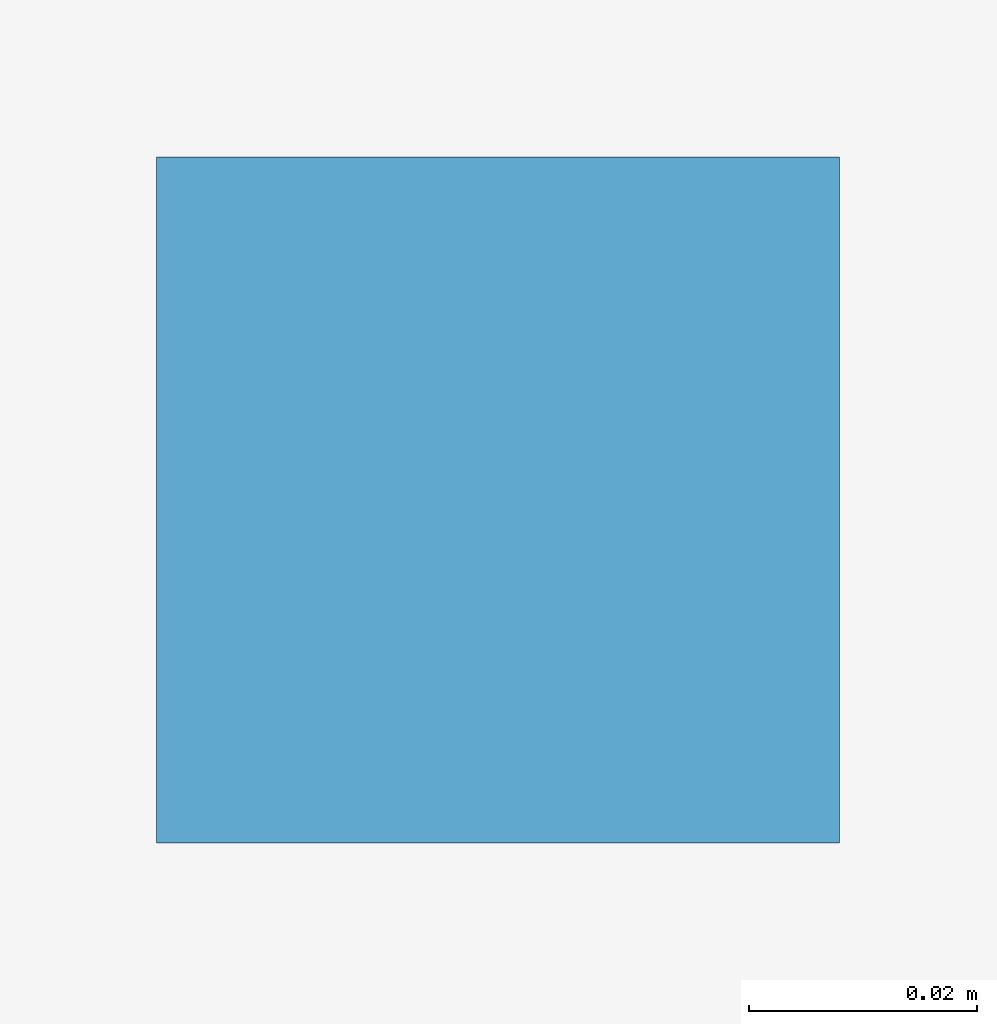
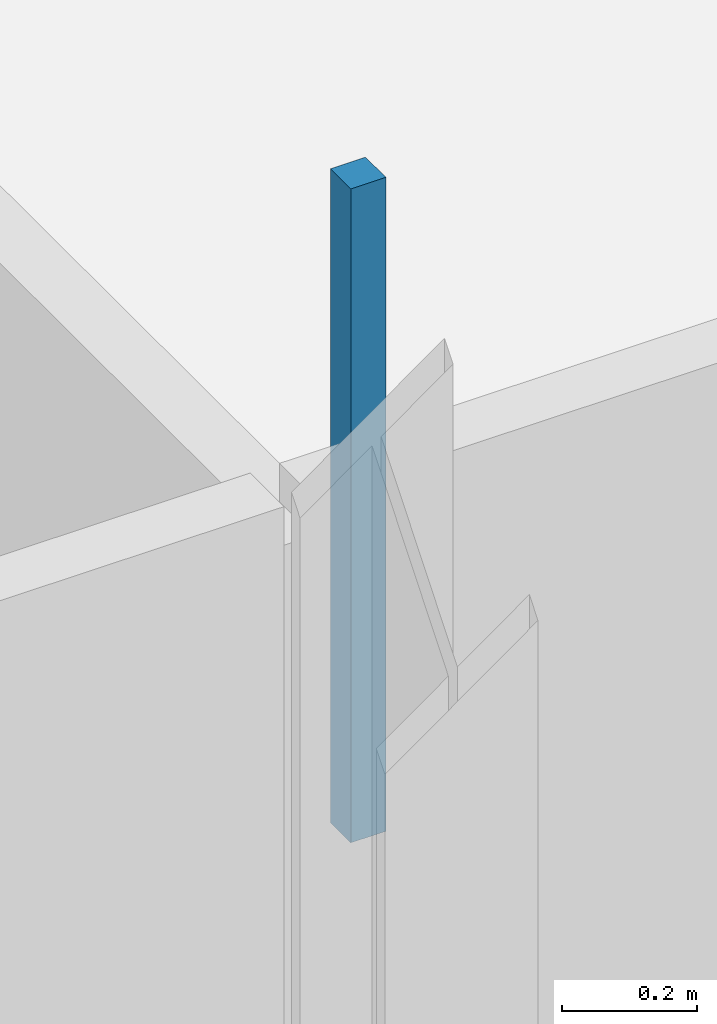
# One storey, part 43 of 59: 1 discrete accessory.
"""IFC4 building model written with IfcOpenShell, lengths in metres."""

from ifc_helpers import new_model, si_unit, direction, frame, origin, place, context, subcontext, project, spatial, polyline, outline, extrude, material, type_object, element, save


model = new_model("IFC4")

# Units and contexts
model_context = context("Model", 3, precision=1e-05, world=origin(), true_north=direction((0.0, 1.0)))
body_context = subcontext(model_context, "Body", "Model", "MODEL_VIEW")
ifc_project = project(units=[si_unit("LENGTHUNIT", "METRE"), si_unit("AREAUNIT", "SQUARE_METRE"), si_unit("VOLUMEUNIT", "CUBIC_METRE"), si_unit("PLANEANGLEUNIT", "RADIAN"), si_unit("MASSUNIT", "GRAM", prefix="KILO")], contexts=[model_context])

# Site, building, storey
site_placement = place(None, origin())
site = spatial("IfcSite", under=ifc_project, at=site_placement, CompositionType="ELEMENT")
building_placement = place(site_placement, origin())
building = spatial("IfcBuilding", under=site, at=building_placement, Name="Dunescarp Central Library", CompositionType="ELEMENT")
storey_placement = place(building_placement, frame((0.0, 0.0, 18.60009765625)))
storey = spatial("IfcBuildingStorey", under=building, at=storey_placement, Name="L04", CompositionType="ELEMENT", Elevation=18.60009765625)

# Discrete accessory
ifc_material = material(Name="Stainless steel Grade 316L", Category="steel")
discrete_accessory_type = type_object("IfcDiscreteAccessoryType", Name="ARC-ACC-BRK", PredefinedType="BRACKET", material=ifc_material)
discrete_accessory_placement = place(storey_placement, frame((0.0, 0.0, 3.059814453125)))
element("IfcDiscreteAccessory", 1, at=discrete_accessory_placement, inside=storey, type_object=discrete_accessory_type, Name="L04 ceiling hanger CLG-L04-082-H1", PredefinedType="BRACKET", context=body_context, shape_type="SweptSolid", body=[
    extrude(outline(polyline([(57.820068359375, 26.169921875), (57.8798828125, 26.169921875), (57.8798828125, 26.22998046875), (57.820068359375, 26.22998046875), (57.820068359375, 26.169921875)])), origin(), (0.0, 0.0, 1.0), 1.18017578125),
])

save(model, "model.ifc")
